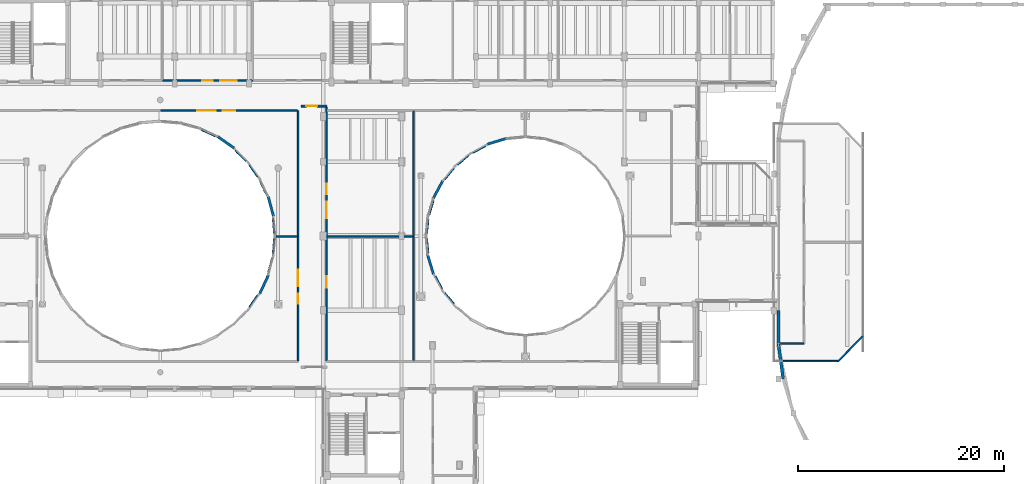
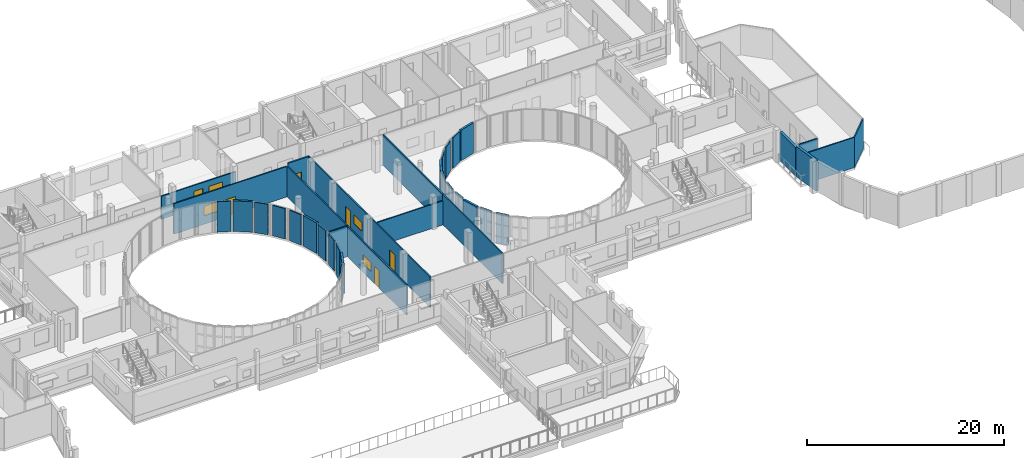
# One storey, part 70 of 92: 38 walls, 6 doors, 4 windows, 10 openings.
"""IFC4 building model written with IfcOpenShell, lengths in metres."""

from ifc_helpers import new_model, si_unit, direction, frame, frame_2d, origin, place, context, subcontext, project, spatial, rectangle, extrude, material, layer, layer_set, type_object, element, fill, save


model = new_model("IFC4")

# Units and contexts
model_context = context("Model", 3, precision=1e-05, world=origin(), true_north=direction((0.0, 1.0)))
body_context = subcontext(model_context, "Body", "Model", "MODEL_VIEW")
ifc_project = project(units=[si_unit("LENGTHUNIT", "METRE"), si_unit("AREAUNIT", "SQUARE_METRE"), si_unit("VOLUMEUNIT", "CUBIC_METRE"), si_unit("PLANEANGLEUNIT", "RADIAN"), si_unit("MASSUNIT", "GRAM", prefix="KILO")], contexts=[model_context])

# Site, building, storey
site_placement = place(None, origin())
site = spatial("IfcSite", under=ifc_project, at=site_placement, CompositionType="ELEMENT")
building_placement = place(site_placement, origin())
building = spatial("IfcBuilding", under=site, at=building_placement, Name="Kelanivale Promenade Academy", CompositionType="ELEMENT")
storey_placement = place(building_placement, frame((0.0, 0.0, 8.199951171875)))
storey = spatial("IfcBuildingStorey", under=building, at=storey_placement, Name="L02", CompositionType="ELEMENT", Elevation=8.199951171875)

# Walls
ifc_material_1 = material(Name="Insulated terracotta-clad masonry wall 300 mm", Category="masonry")
ifc_layer_1 = layer(ifc_material_1, 0.300048828125)
ifc_layer_set_1 = layer_set([ifc_layer_1], Name="Insulated terracotta-clad masonry wall 300 mm")
wall_type_1 = type_object("IfcWallType", Name="EW-01 Wall 300mm", PredefinedType="SOLIDWALL", material=ifc_layer_set_1)
wall_1_placement = place(storey_placement, frame((123.35009765625, 46.257080078125, 0.0), z_axis=(0.0, 0.0, 1.0), x_axis=(0.134539839792, -0.990908185206, 0.0)))
element("IfcWall", 1, at=wall_1_placement, inside=storey, type_object=wall_type_1, Name="Assembly Hall Arc Pavilion inner crescent wall L02", PredefinedType="SOLIDWALL", context=body_context, shape_type="SweptSolid", body=[
    extrude(rectangle(XDim=3.344482421875, YDim=0.300048828125, at=frame_2d((1.67236328125, 0.0))), origin(), (0.0, 0.0, 1.0), 3.7451171875),
])
wall_2_placement = place(storey_placement, frame((123.35009765625, 49.571044921875, 0.0), z_axis=(0.0, 0.0, 1.0), x_axis=(0.0, -1.0, 0.0)))
element("IfcWall", 2, at=wall_2_placement, inside=storey, type_object=wall_type_1, Name="Assembly Hall Arc Pavilion inner crescent wall L02", PredefinedType="SOLIDWALL", context=body_context, shape_type="SweptSolid", body=[
    extrude(rectangle(XDim=3.31396484375, YDim=0.300048828125, at=frame_2d((1.656982421875, 0.0))), origin(), (0.0, 0.0, 1.0), 3.505126953125),
])
ifc_material_2 = material(Name="Insulated courtyard stucco masonry wall 240 mm", Category="masonry")
ifc_layer_2 = layer(ifc_material_2, 0.239990234375)
ifc_layer_set_2 = layer_set([ifc_layer_2], Name="Insulated courtyard stucco masonry wall 240 mm")
wall_type_2 = type_object("IfcWallType", Name="EW-04 Wall 240mm", PredefinedType="SOLIDWALL", material=ifc_layer_set_2)
wall_3_placement = place(storey_placement, frame((96.929931640625, 66.258056640625, 0.0), z_axis=(0.0, 0.0, 1.0), x_axis=(-0.957102771605, -0.289748657608, 0.0)))
element("IfcWall", 3, at=wall_3_placement, inside=storey, type_object=wall_type_2, Name="L02 round courtyard stucco wall", PredefinedType="SOLIDWALL", context=body_context, shape_type="SweptSolid", body=[
    extrude(rectangle(XDim=1.911865234375, YDim=0.239990234375, at=frame_2d((0.9560546875, 0.0))), origin(), (0.0, 0.0, 1.0), 3.780029296875),
])
wall_4_placement = place(storey_placement, frame((90.7900390625, 62.166015625, 0.0), z_axis=(0.0, 0.0, 1.0), x_axis=(-0.471548403175, -0.881840180227, 0.0)))
element("IfcWall", 4, at=wall_4_placement, inside=storey, type_object=wall_type_2, Name="L02 round courtyard stucco wall", PredefinedType="SOLIDWALL", context=body_context, shape_type="SweptSolid", body=[
    extrude(rectangle(XDim=1.9130859375, YDim=0.239990234375, at=frame_2d((0.95654296875, 0.0))), origin(), (0.0, 0.0, 1.0), 3.780029296875),
])
wall_5_placement = place(storey_placement, frame((89.342041015625, 54.929931640625, 0.0), z_axis=(0.0, 0.0, 1.0), x_axis=(0.289748657608, -0.957102771605, 0.0)))
element("IfcWall", 5, at=wall_5_placement, inside=storey, type_object=wall_type_2, Name="L02 round courtyard stucco wall", PredefinedType="SOLIDWALL", context=body_context, shape_type="SweptSolid", body=[
    extrude(rectangle(XDim=1.911865234375, YDim=0.239990234375, at=frame_2d((0.9560546875, 0.0))), origin(), (0.0, 0.0, 1.0), 3.780029296875),
])
wall_6_placement = place(storey_placement, frame((70.571044921875, 65.326904296875, 0.0), z_axis=(0.0, 0.0, 1.0), x_axis=(-0.819132771028, 0.573603960436, 0.0)))
element("IfcWall", 6, at=wall_6_placement, inside=storey, type_object=wall_type_2, Name="L02 round courtyard stucco wall", PredefinedType="SOLIDWALL", context=body_context, shape_type="SweptSolid", body=[
    extrude(rectangle(XDim=1.966796875, YDim=0.239990234375, at=frame_2d((0.9833984375, 0.0))), origin(), (0.0, 0.0, 1.0), 3.780029296875),
])
wall_7_placement = place(storey_placement, frame((73.0419921875, 51.218017578125, 0.0), z_axis=(0.0, 0.0, 1.0), x_axis=(0.423095895811, 0.906084909348, 0.0)))
element("IfcWall", 7, at=wall_7_placement, inside=storey, type_object=wall_type_2, Name="L02 round courtyard stucco wall", PredefinedType="SOLIDWALL", context=body_context, shape_type="SweptSolid", body=[
    extrude(rectangle(XDim=1.96875, YDim=0.239990234375, at=frame_2d((0.984375, 0.0))), origin(), (0.0, 0.0, 1.0), 3.780029296875),
])
wall_8_placement = place(storey_placement, frame((74.3740234375, 58.721923828125, 0.0), z_axis=(0.0, 0.0, 1.0), x_axis=(-0.258303819724, 0.966063733258, 0.0)))
element("IfcWall", 8, at=wall_8_placement, inside=storey, type_object=wall_type_2, Name="L02 round courtyard stucco wall", PredefinedType="SOLIDWALL", context=body_context, shape_type="SweptSolid", body=[
    extrude(rectangle(XDim=1.966796875, YDim=0.239990234375, at=frame_2d((0.9833984375, 0.0))), origin(), (0.0, 0.0, 1.0), 3.780029296875),
])

# Wall, opening, door
ifc_material_3 = material(Name="Autoclaved masonry blockwork 180 mm", Category="masonry")
ifc_layer_3 = layer(ifc_material_3, 0.179931640625)
ifc_layer_set_3 = layer_set([ifc_layer_3], Name="Autoclaved masonry blockwork 180 mm")
wall_type_3 = type_object("IfcWallType", Name="IW-02 Wall 180mm", PredefinedType="PARTITIONING", material=ifc_layer_set_3)
wall_9_placement = place(storey_placement, frame((77.050048828125, 69.39990234375, 0.0), z_axis=(0.0, 0.0, 1.0), x_axis=(1.0, 0.0, 0.0)))
wall_9 = element("IfcWall", 9, at=wall_9_placement, inside=storey, type_object=wall_type_3, Name="L02 cross-corridor fire wall", PredefinedType="PARTITIONING", context=body_context, shape_type="SweptSolid", body=[
    extrude(rectangle(XDim=2.5, YDim=0.179931640625, at=frame_2d((1.25, 0.0))), origin(), (0.0, 0.0, 1.0), 3.780029296875),
])
opening_1_placement = place(wall_9_placement, frame((0.507080078125, 0.0, 0.0)))
opening_1 = element("IfcOpeningElement", 10, at=opening_1_placement, cuts=wall_9, Name="Opening FD-L02-CC-107", PredefinedType="OPENING", context=body_context, shape_type="SweptSolid", body=[
    extrude(rectangle(XDim=1.050048828125, YDim=2.14990234375, at=frame_2d((0.52490234375, 1.074951171875))), frame((0.0, 0.10009765625, 0.0), z_axis=(0.0, -1.0, 0.0), x_axis=(1.0, 0.0, 0.0)), (0.0, 0.0, 1.0), 0.199951171875),
])
ifc_material_4 = material(Name="Fire-rated steel-core teak veneer", Category="steel")
door_type_1 = type_object("IfcDoorType", Name="DT-F03 Door 1050x2150", OperationType="NOTDEFINED", PredefinedType="DOOR", material=ifc_material_4)
door_1_placement = place(opening_1_placement, origin())
door_1 = element("IfcDoor", 11, at=door_1_placement, inside=storey, type_object=door_type_1, Name="L02 cross-corridor fire door FD-L02-CC-107", OperationType="SINGLE_SWING_LEFT", OverallHeight=2.14990234375, OverallWidth=1.050048828125, PredefinedType="DOOR", context=body_context, shape_type="SweptSolid", body=[
    extrude(rectangle(XDim=1.050048828125, YDim=2.14990234375, at=frame_2d((0.52490234375, 1.074951171875))), frame((0.0, 0.02490234375, 0.0), z_axis=(0.0, -1.0, 0.0), x_axis=(1.0, 0.0, 0.0)), (0.0, 0.0, 1.0), 0.050048828125),
])
fill(opening_1, door_1)

# Walls
ifc_material_5 = material(Name="Acoustic double-stud gypsum board partition 140 mm", Category="masonry")
ifc_layer_4 = layer(ifc_material_5, 0.139892578125)
ifc_layer_set_4 = layer_set([ifc_layer_4], Name="Acoustic double-stud gypsum board partition 140 mm")
wall_type_4 = type_object("IfcWallType", Name="IW-04 Wall 140mm", PredefinedType="PARTITIONING", material=ifc_layer_set_4)
wall_10_placement = place(storey_placement, frame((125.77001953125, 46.3701171875, 0.0), z_axis=(0.0, 0.0, 1.0), x_axis=(-1.0, 0.0, 0.0)))
element("IfcWall", 12, at=wall_10_placement, inside=storey, type_object=wall_type_4, Name="L02 partition Choral Rehearsal Studio", PredefinedType="PARTITIONING", context=body_context, shape_type="SweptSolid", body=[
    extrude(rectangle(XDim=2.27197265625, YDim=0.139892578125, at=frame_2d((1.135986328125, 0.0))), origin(), (0.0, 0.0, 1.0), 3.755126953125),
])
wall_11_placement = place(storey_placement, frame((123.677978515625, 44.669921875, 0.0), z_axis=(0.0, 0.0, 1.0), x_axis=(1.0, 0.0, 0.0)))
element("IfcWall", 13, at=wall_11_placement, inside=storey, type_object=wall_type_4, Name="L02 partition Choral Rehearsal Studio", PredefinedType="PARTITIONING", context=body_context, shape_type="SweptSolid", body=[
    extrude(rectangle(XDim=5.443115234375, YDim=0.139892578125, at=frame_2d((2.7216796875, 0.0))), origin(), (0.0, 0.0, 1.0), 3.755126953125),
])
wall_12_placement = place(storey_placement, frame((129.1201171875, 44.6689453125, 0.0), z_axis=(0.0, 0.0, 1.0), x_axis=(0.707070979218, 0.707142581342, 0.0)))
element("IfcWall", 14, at=wall_12_placement, inside=storey, type_object=wall_type_4, Name="L02 partition Choral Rehearsal Studio", PredefinedType="PARTITIONING", context=body_context, shape_type="SweptSolid", body=[
    extrude(rectangle(XDim=3.40966796875, YDim=0.139892578125, at=frame_2d((1.704833984375, 0.0))), origin(), (0.0, 0.0, 1.0), 3.755126953125),
])
wall_13_placement = place(storey_placement, frame((87.969970703125, 44.697998046875, 0.0), z_axis=(0.0, 0.0, 1.0), x_axis=(0.0, 1.0, 0.0)))
element("IfcWall", 15, at=wall_13_placement, inside=storey, type_object=wall_type_4, Name="L02 partition Design Workshop", PredefinedType="PARTITIONING", context=body_context, shape_type="SweptSolid", body=[
    extrude(rectangle(XDim=12.072021484375, YDim=0.139892578125, at=frame_2d((6.0361328125, 0.0))), origin(), (0.0, 0.0, 1.0), 3.775146484375),
])
wall_14_placement = place(storey_placement, frame((87.902099609375, 56.77001953125, 0.0), z_axis=(0.0, 0.0, 1.0), x_axis=(-1.0, 0.0, 0.0)))
element("IfcWall", 16, at=wall_14_placement, inside=storey, type_object=wall_type_4, Name="L02 partition Design Workshop", PredefinedType="PARTITIONING", context=body_context, shape_type="SweptSolid", body=[
    extrude(rectangle(XDim=8.3720703125, YDim=0.139892578125, at=frame_2d((4.18603515625, 0.0))), origin(), (0.0, 0.0, 1.0), 2.97509765625),
])

# Wall, opening, door
wall_15_placement = place(storey_placement, frame((79.530029296875, 56.701904296875, 0.0), z_axis=(0.0, 0.0, 1.0), x_axis=(0.0, -1.0, 0.0)))
wall_15 = element("IfcWall", 17, at=wall_15_placement, inside=storey, type_object=wall_type_4, Name="L02 partition Design Workshop", PredefinedType="PARTITIONING", context=body_context, shape_type="SweptSolid", body=[
    extrude(rectangle(XDim=12.00390625, YDim=0.139892578125, at=frame_2d((6.001953125, 0.0))), origin(), (0.0, 0.0, 1.0), 3.775146484375),
])
opening_2_placement = place(wall_15_placement, frame((3.80908203125, 0.0, 0.0)))
opening_2 = element("IfcOpeningElement", 18, at=opening_2_placement, cuts=wall_15, Name="Opening ID-L02-118", PredefinedType="OPENING", context=body_context, shape_type="SweptSolid", body=[
    extrude(rectangle(XDim=1.1201171875, YDim=2.179931640625, at=frame_2d((0.56005859375, 1.08984375))), frame((0.0, 0.080078125, 0.0), z_axis=(0.0, -1.0, 0.0), x_axis=(1.0, 0.0, 0.0)), (0.0, 0.0, 1.0), 0.159912109375),
])
ifc_material_6 = material(Name="Solid-core tropical teak timber", Category="wood")
door_type_2 = type_object("IfcDoorType", Name="DT-I17 Door 1120x2180", OperationType="NOTDEFINED", PredefinedType="DOOR", material=ifc_material_6)
door_2_placement = place(opening_2_placement, origin())
door_2 = element("IfcDoor", 19, at=door_2_placement, inside=storey, type_object=door_type_2, Name="Design Workshop door ID-L02-118", OperationType="SINGLE_SWING_RIGHT", OverallHeight=2.179931640625, OverallWidth=1.1201171875, PredefinedType="DOOR", context=body_context, shape_type="SweptSolid", body=[
    extrude(rectangle(XDim=1.1201171875, YDim=2.179931640625, at=frame_2d((0.56005859375, 1.08984375))), frame((0.0, 0.02490234375, 0.0), z_axis=(0.0, -1.0, 0.0), x_axis=(1.0, 0.0, 0.0)), (0.0, 0.0, 1.0), 0.050048828125),
])
fill(opening_2, door_2)

# Wall, openings, door, window
wall_16_placement = place(storey_placement, frame((79.530029296875, 69.31201171875, 0.0), z_axis=(0.0, 0.0, 1.0), x_axis=(0.0, -1.0, 0.0)))
wall_16 = element("IfcWall", 20, at=wall_16_placement, inside=storey, type_object=wall_type_4, Name="L02 partition Mathematics Classroom", PredefinedType="PARTITIONING", context=body_context, shape_type="SweptSolid", body=[
    extrude(rectangle(XDim=12.47412109375, YDim=0.139892578125, at=frame_2d((6.237060546875, 0.0))), origin(), (0.0, 0.0, 1.0), 3.775146484375),
])
opening_3_placement = place(wall_16_placement, frame((7.445068359375, 0.0, 0.0)))
opening_3 = element("IfcOpeningElement", 21, at=opening_3_placement, cuts=wall_16, Name="Opening ID-L02-119", PredefinedType="OPENING", context=body_context, shape_type="SweptSolid", body=[
    extrude(rectangle(XDim=1.02001953125, YDim=2.139892578125, at=frame_2d((0.510009765625, 1.06982421875))), frame((0.0, 0.080078125, 0.0), z_axis=(0.0, -1.0, 0.0), x_axis=(1.0, 0.0, 0.0)), (0.0, 0.0, 1.0), 0.159912109375),
])
opening_4_placement = place(wall_16_placement, frame((9.1650390625, 0.0, 1.050048828125)))
opening_4 = element("IfcOpeningElement", 22, at=opening_4_placement, cuts=wall_16, Name="Opening WT-I01", PredefinedType="OPENING", context=body_context, shape_type="SweptSolid", body=[
    extrude(rectangle(XDim=1.60009765625, YDim=1.10009765625, at=frame_2d((0.800048828125, 0.550048828125))), frame((0.0, 0.080078125, 0.0), z_axis=(0.0, -1.0, 0.0), x_axis=(1.0, 0.0, 0.0)), (0.0, 0.0, 1.0), 0.159912109375),
])
door_type_3 = type_object("IfcDoorType", Name="DT-I15 Door 1020x2140", OperationType="NOTDEFINED", PredefinedType="DOOR", material=ifc_material_6)
door_3_placement = place(opening_3_placement, origin())
door_3 = element("IfcDoor", 23, at=door_3_placement, inside=storey, type_object=door_type_3, Name="Mathematics Classroom door ID-L02-119", OperationType="SINGLE_SWING_LEFT", OverallHeight=2.139892578125, OverallWidth=1.02001953125, PredefinedType="DOOR", context=body_context, shape_type="SweptSolid", body=[
    extrude(rectangle(XDim=1.02001953125, YDim=2.139892578125, at=frame_2d((0.510009765625, 1.06982421875))), frame((0.0, 0.02490234375, 0.0), z_axis=(0.0, -1.0, 0.0), x_axis=(1.0, 0.0, 0.0)), (0.0, 0.0, 1.0), 0.050048828125),
])
fill(opening_3, door_3)
ifc_material_7 = material(Name="Bronze anodised aluminium frame with low-E laminated glass", Category="aluminium")
window_type_1 = type_object("IfcWindowType", Name="WT-I01 Window 1600x1100", PartitioningType="SINGLE_PANEL", PredefinedType="WINDOW", material=ifc_material_7)
window_1_placement = place(opening_4_placement, origin())
window_1 = element("IfcWindow", 24, at=window_1_placement, inside=storey, type_object=window_type_1, Name="Interior observation window WT-I01", OverallHeight=1.10009765625, OverallWidth=1.60009765625, PartitioningType="SINGLE_PANEL", PredefinedType="WINDOW", context=body_context, shape_type="SweptSolid", body=[
    extrude(rectangle(XDim=1.60009765625, YDim=1.10009765625, at=frame_2d((0.800048828125, 0.550048828125))), frame((0.0, 0.030029296875, 0.0), z_axis=(0.0, -1.0, 0.0), x_axis=(1.0, 0.0, 0.0)), (0.0, 0.0, 1.0), 0.06005859375),
])
fill(opening_4, window_1)

# Wall
wall_17_placement = place(storey_placement, frame((87.969970703125, 56.830078125, 0.0), z_axis=(0.0, 0.0, 1.0), x_axis=(0.0, 1.0, 0.0)))
element("IfcWall", 25, at=wall_17_placement, inside=storey, type_object=wall_type_4, Name="L02 partition Mathematics Classroom", PredefinedType="PARTITIONING", context=body_context, shape_type="SweptSolid", body=[
    extrude(rectangle(XDim=12.139892578125, YDim=0.139892578125, at=frame_2d((6.06982421875, 0.0))), origin(), (0.0, 0.0, 1.0), 3.775146484375),
])

# Wall, openings, door, window
wall_18_placement = place(storey_placement, frame((76.77001953125, 44.697998046875, 0.0), z_axis=(0.0, 0.0, 1.0), x_axis=(0.0, 1.0, 0.0)))
wall_18 = element("IfcWall", 26, at=wall_18_placement, inside=storey, type_object=wall_type_4, Name="L02 partition Mathematics Classroom Courtyard South", PredefinedType="PARTITIONING", context=body_context, shape_type="SweptSolid", body=[
    extrude(rectangle(XDim=12.072021484375, YDim=0.139892578125, at=frame_2d((6.0361328125, 0.0))), origin(), (0.0, 0.0, 1.0), 3.775146484375),
])
opening_5_placement = place(wall_18_placement, frame((5.5458984375, 0.0, 0.0)))
opening_5 = element("IfcOpeningElement", 27, at=opening_5_placement, cuts=wall_18, Name="Opening ID-L02-122", PredefinedType="OPENING", context=body_context, shape_type="SweptSolid", body=[
    extrude(rectangle(XDim=0.97998046875, YDim=2.1201171875, at=frame_2d((0.489990234375, 1.06005859375))), frame((0.0, 0.080078125, 0.0), z_axis=(0.0, -1.0, 0.0), x_axis=(1.0, 0.0, 0.0)), (0.0, 0.0, 1.0), 0.159912109375),
])
opening_6_placement = place(wall_18_placement, frame((7.22607421875, 0.0, 1.050048828125)))
opening_6 = element("IfcOpeningElement", 28, at=opening_6_placement, cuts=wall_18, Name="Opening WT-I01", PredefinedType="OPENING", context=body_context, shape_type="SweptSolid", body=[
    extrude(rectangle(XDim=1.60009765625, YDim=1.10009765625, at=frame_2d((0.800048828125, 0.550048828125))), frame((0.0, 0.080078125, 0.0), z_axis=(0.0, -1.0, 0.0), x_axis=(1.0, 0.0, 0.0)), (0.0, 0.0, 1.0), 0.159912109375),
])
door_type_4 = type_object("IfcDoorType", Name="DT-I14 Door 980x2120", OperationType="NOTDEFINED", PredefinedType="DOOR", material=ifc_material_6)
door_4_placement = place(opening_5_placement, origin())
door_4 = element("IfcDoor", 29, at=door_4_placement, inside=storey, type_object=door_type_4, Name="Mathematics Classroom Courtyard South door ID-L02-122", OperationType="SINGLE_SWING_RIGHT", OverallHeight=2.1201171875, OverallWidth=0.97998046875, PredefinedType="DOOR", context=body_context, shape_type="SweptSolid", body=[
    extrude(rectangle(XDim=0.97998046875, YDim=2.1201171875, at=frame_2d((0.489990234375, 1.06005859375))), frame((0.0, 0.02490234375, 0.0), z_axis=(0.0, -1.0, 0.0), x_axis=(1.0, 0.0, 0.0)), (0.0, 0.0, 1.0), 0.050048828125),
])
fill(opening_5, door_4)
window_2_placement = place(opening_6_placement, origin())
window_2 = element("IfcWindow", 30, at=window_2_placement, inside=storey, type_object=window_type_1, Name="Interior observation window WT-I01", OverallHeight=1.10009765625, OverallWidth=1.60009765625, PartitioningType="SINGLE_PANEL", PredefinedType="WINDOW", context=body_context, shape_type="SweptSolid", body=[
    extrude(rectangle(XDim=1.60009765625, YDim=1.10009765625, at=frame_2d((0.800048828125, 0.550048828125))), frame((0.0, 0.030029296875, 0.0), z_axis=(0.0, -1.0, 0.0), x_axis=(1.0, 0.0, 0.0)), (0.0, 0.0, 1.0), 0.06005859375),
])
fill(opening_6, window_2)

# Walls
wall_19_placement = place(storey_placement, frame((76.701904296875, 56.77001953125, 0.0), z_axis=(0.0, 0.0, 1.0), x_axis=(-1.0, 0.0, 0.0)))
element("IfcWall", 31, at=wall_19_placement, inside=storey, type_object=wall_type_4, Name="L02 partition Mathematics Classroom Courtyard South", PredefinedType="PARTITIONING", context=body_context, shape_type="SweptSolid", body=[
    extrude(rectangle(XDim=2.0859375, YDim=0.139892578125, at=frame_2d((1.04296875, 0.0))), origin(), (0.0, 0.0, 1.0), 3.775146484375),
])
wall_20_placement = place(storey_placement, frame((74.446044921875, 56.52294921875, 0.0), z_axis=(0.0, 0.0, 1.0), x_axis=(-0.086916960031, -0.996215560037, 0.0)))
element("IfcWall", 32, at=wall_20_placement, inside=storey, type_object=wall_type_4, Name="L02 partition Mathematics Classroom Courtyard South", PredefinedType="PARTITIONING", context=body_context, shape_type="SweptSolid", body=[
    extrude(rectangle(XDim=1.393310546875, YDim=0.139892578125, at=frame_2d((0.69677734375, 0.0))), origin(), (0.0, 0.0, 1.0), 3.775146484375),
])
wall_21_placement = place(storey_placement, frame((74.235107421875, 54.6279296875, 0.0), z_axis=(0.0, 0.0, 1.0), x_axis=(-0.258491202719, -0.966013611766, 0.0)))
element("IfcWall", 33, at=wall_21_placement, inside=storey, type_object=wall_type_4, Name="L02 partition Mathematics Classroom Courtyard South", PredefinedType="PARTITIONING", context=body_context, shape_type="SweptSolid", body=[
    extrude(rectangle(XDim=1.412109375, YDim=0.139892578125, at=frame_2d((0.7060546875, 0.0))), origin(), (0.0, 0.0, 1.0), 3.775146484375),
])
wall_22_placement = place(storey_placement, frame((72.839111328125, 51.052978515625, 0.0), z_axis=(0.0, 0.0, 1.0), x_axis=(-0.57368253481, -0.819077743108, 0.0)))
element("IfcWall", 34, at=wall_22_placement, inside=storey, type_object=wall_type_4, Name="L02 partition Mathematics Classroom Courtyard South", PredefinedType="PARTITIONING", context=body_context, shape_type="SweptSolid", body=[
    extrude(rectangle(XDim=1.413818359375, YDim=0.139892578125, at=frame_2d((0.70703125, 0.0))), origin(), (0.0, 0.0, 1.0), 3.775146484375),
])
wall_23_placement = place(storey_placement, frame((70.698974609375, 65.096923828125, 0.0), z_axis=(0.0, 0.0, 1.0), x_axis=(0.707193272138, -0.707020279655, 0.0)))
element("IfcWall", 35, at=wall_23_placement, inside=storey, type_object=wall_type_4, Name="L02 partition Design Workshop Courtyard North", PredefinedType="PARTITIONING", context=body_context, shape_type="SweptSolid", body=[
    extrude(rectangle(XDim=1.411376953125, YDim=0.139892578125, at=frame_2d((0.70556640625, 0.0))), origin(), (0.0, 0.0, 1.0), 3.775146484375),
])
wall_24_placement = place(storey_placement, frame((72.028076171875, 63.705078125, 0.0), z_axis=(0.0, 0.0, 1.0), x_axis=(0.57368253481, -0.819077743108, 0.0)))
element("IfcWall", 36, at=wall_24_placement, inside=storey, type_object=wall_type_4, Name="L02 partition Design Workshop Courtyard North", PredefinedType="PARTITIONING", context=body_context, shape_type="SweptSolid", body=[
    extrude(rectangle(XDim=1.413818359375, YDim=0.139892578125, at=frame_2d((0.70703125, 0.0))), origin(), (0.0, 0.0, 1.0), 3.775146484375),
])
wall_25_placement = place(storey_placement, frame((73.095947265625, 62.10107421875, 0.0), z_axis=(0.0, 0.0, 1.0), x_axis=(0.423348930736, -0.905966711775, 0.0)))
element("IfcWall", 37, at=wall_25_placement, inside=storey, type_object=wall_type_4, Name="L02 partition Design Workshop Courtyard North", PredefinedType="PARTITIONING", context=body_context, shape_type="SweptSolid", body=[
    extrude(rectangle(XDim=1.412841796875, YDim=0.139892578125, at=frame_2d((0.70654296875, 0.0))), origin(), (0.0, 0.0, 1.0), 3.775146484375),
])
wall_26_placement = place(storey_placement, frame((74.324951171875, 58.465087890625, 0.0), z_axis=(0.0, 0.0, 1.0), x_axis=(0.086901789347, -0.996216883519, 0.0)))
element("IfcWall", 38, at=wall_26_placement, inside=storey, type_object=wall_type_4, Name="L02 partition Design Workshop Courtyard North", PredefinedType="PARTITIONING", context=body_context, shape_type="SweptSolid", body=[
    extrude(rectangle(XDim=1.3935546875, YDim=0.139892578125, at=frame_2d((0.69677734375, 0.0))), origin(), (0.0, 0.0, 1.0), 3.775146484375),
])
wall_27_placement = place(storey_placement, frame((76.77001953125, 56.830078125, 0.0), z_axis=(0.0, 0.0, 1.0), x_axis=(0.0, 1.0, 0.0)))
element("IfcWall", 39, at=wall_27_placement, inside=storey, type_object=wall_type_4, Name="L02 partition Design Workshop Courtyard North", PredefinedType="PARTITIONING", context=body_context, shape_type="SweptSolid", body=[
    extrude(rectangle(XDim=12.139892578125, YDim=0.139892578125, at=frame_2d((6.06982421875, 0.0))), origin(), (0.0, 0.0, 1.0), 3.775146484375),
])

# Wall, openings, door, window
wall_28_placement = place(storey_placement, frame((76.701904296875, 68.969970703125, 0.0), z_axis=(0.0, 0.0, 1.0), x_axis=(-1.0, 0.0, 0.0)))
wall_28 = element("IfcWall", 40, at=wall_28_placement, inside=storey, type_object=wall_type_4, Name="L02 partition Design Workshop Courtyard North", PredefinedType="PARTITIONING", context=body_context, shape_type="SweptSolid", body=[
    extrude(rectangle(XDim=13.27197265625, YDim=0.139892578125, at=frame_2d((6.635986328125, 0.0))), origin(), (0.0, 0.0, 1.0), 3.775146484375),
])
opening_7_placement = place(wall_28_placement, frame((6.035888671875, 0.0, 0.0)))
opening_7 = element("IfcOpeningElement", 41, at=opening_7_placement, cuts=wall_28, Name="Opening ID-L02-123", PredefinedType="OPENING", context=body_context, shape_type="SweptSolid", body=[
    extrude(rectangle(XDim=1.199951171875, YDim=2.14990234375, at=frame_2d((0.60009765625, 1.074951171875))), frame((0.0, 0.080078125, 0.0), z_axis=(0.0, -1.0, 0.0), x_axis=(1.0, 0.0, 0.0)), (0.0, 0.0, 1.0), 0.159912109375),
])
opening_8_placement = place(wall_28_placement, frame((7.93603515625, 0.0, 1.050048828125)))
opening_8 = element("IfcOpeningElement", 42, at=opening_8_placement, cuts=wall_28, Name="Opening WT-I02", PredefinedType="OPENING", context=body_context, shape_type="SweptSolid", body=[
    extrude(rectangle(XDim=1.800048828125, YDim=1.199951171875, at=frame_2d((0.89990234375, 0.60009765625))), frame((0.0, 0.080078125, 0.0), z_axis=(0.0, -1.0, 0.0), x_axis=(1.0, 0.0, 0.0)), (0.0, 0.0, 1.0), 0.159912109375),
])
door_type_5 = type_object("IfcDoorType", Name="DT-I04 Door 1200x2150", OperationType="NOTDEFINED", PredefinedType="DOOR", material=ifc_material_6)
door_5_placement = place(opening_7_placement, origin())
door_5 = element("IfcDoor", 43, at=door_5_placement, inside=storey, type_object=door_type_5, Name="Design Workshop Courtyard North door ID-L02-123", OperationType="SINGLE_SWING_LEFT", OverallHeight=2.14990234375, OverallWidth=1.199951171875, PredefinedType="DOOR", context=body_context, shape_type="SweptSolid", body=[
    extrude(rectangle(XDim=1.199951171875, YDim=2.14990234375, at=frame_2d((0.60009765625, 1.074951171875))), frame((0.0, 0.02490234375, 0.0), z_axis=(0.0, -1.0, 0.0), x_axis=(1.0, 0.0, 0.0)), (0.0, 0.0, 1.0), 0.050048828125),
])
fill(opening_7, door_5)
window_type_2 = type_object("IfcWindowType", Name="WT-I02 Window 1800x1200", PartitioningType="SINGLE_PANEL", PredefinedType="WINDOW", material=ifc_material_7)
window_3_placement = place(opening_8_placement, origin())
window_3 = element("IfcWindow", 44, at=window_3_placement, inside=storey, type_object=window_type_2, Name="Interior observation window WT-I02", OverallHeight=1.199951171875, OverallWidth=1.800048828125, PartitioningType="SINGLE_PANEL", PredefinedType="WINDOW", context=body_context, shape_type="SweptSolid", body=[
    extrude(rectangle(XDim=1.800048828125, YDim=1.199951171875, at=frame_2d((0.89990234375, 0.60009765625))), frame((0.0, 0.030029296875, 0.0), z_axis=(0.0, -1.0, 0.0), x_axis=(1.0, 0.0, 0.0)), (0.0, 0.0, 1.0), 0.06005859375),
])
fill(opening_8, window_3)

# Walls
wall_29_placement = place(storey_placement, frame((67.4208984375, 67.093994140625, 0.0), z_axis=(0.0, 0.0, 1.0), x_axis=(0.906032979506, -0.423207088844, 0.0)))
element("IfcWall", 45, at=wall_29_placement, inside=storey, type_object=wall_type_4, Name="L02 partition Design Workshop Courtyard North", PredefinedType="PARTITIONING", context=body_context, shape_type="SweptSolid", body=[
    extrude(rectangle(XDim=1.412841796875, YDim=0.139892578125, at=frame_2d((0.70654296875, 0.0))), origin(), (0.0, 0.0, 1.0), 3.775146484375),
])
for number, where, z_axis, x_axis, name in (
    (46, (91.867919921875, 50.23291015625, 0.0), (0.0, 0.0, 1.0), (-0.634344180177, 0.773050749353, 0.0), "L02 partition Secondary Classroom Courtyard East-South"),
    (47, (90.719970703125, 51.7119140625, 0.0), (0.0, 0.0, 1.0), (-0.470877717269, 0.882198489785, 0.0), "L02 partition Secondary Classroom Courtyard East-South"),
):
    element("IfcWall", number, at=place(storey_placement, frame(where, z_axis=z_axis, x_axis=x_axis)), inside=storey, type_object=wall_type_4, Name=name, PredefinedType="PARTITIONING", context=body_context, shape_type="SweptSolid", body=[
        extrude(rectangle(XDim=1.35693359375, YDim=0.139892578125, at=frame_2d((0.678466796875, 0.0))), origin(), (0.0, 0.0, 1.0), 3.775146484375),
    ])
for number, where, z_axis, x_axis, name in (
    (48, (89.388916015625, 55.19189453125, 0.0), (0.0, 0.0, 1.0), (-0.098563937798, 0.99513072014, 0.0), "L02 partition Secondary Classroom Courtyard East-South"),
    (49, (89.257080078125, 57.076904296875, 0.0), (0.0, 0.0, 1.0), (0.098563937798, 0.99513072014, 0.0), "L02 partition Mathematics Classroom Courtyard East-North"),
):
    element("IfcWall", number, at=place(storey_placement, frame(where, z_axis=z_axis, x_axis=x_axis)), inside=storey, type_object=wall_type_4, Name=name, PredefinedType="PARTITIONING", context=body_context, shape_type="SweptSolid", body=[
        extrude(rectangle(XDim=1.337646484375, YDim=0.139892578125, at=frame_2d((0.6689453125, 0.0))), origin(), (0.0, 0.0, 1.0), 3.775146484375),
    ])
wall_30_placement = place(storey_placement, frame((89.489013671875, 58.9150390625, 0.0), z_axis=(0.0, 0.0, 1.0), x_axis=(0.290266939661, 0.956945716193, 0.0)))
element("IfcWall", 50, at=wall_30_placement, inside=storey, type_object=wall_type_4, Name="L02 partition Mathematics Classroom Courtyard East-North", PredefinedType="PARTITIONING", context=body_context, shape_type="SweptSolid", body=[
    extrude(rectangle(XDim=1.357421875, YDim=0.139892578125, at=frame_2d((0.6787109375, 0.0))), origin(), (0.0, 0.0, 1.0), 3.775146484375),
])
wall_31_placement = place(storey_placement, frame((91.007080078125, 62.318115234375, 0.0), z_axis=(0.0, 0.0, 1.0), x_axis=(0.634432410055, 0.772978341916, 0.0)))
element("IfcWall", 51, at=wall_31_placement, inside=storey, type_object=wall_type_4, Name="L02 partition Mathematics Classroom Courtyard East-North", PredefinedType="PARTITIONING", context=body_context, shape_type="SweptSolid", body=[
    extrude(rectangle(XDim=1.35693359375, YDim=0.139892578125, at=frame_2d((0.678466796875, 0.0))), origin(), (0.0, 0.0, 1.0), 3.775146484375),
])
wall_32_placement = place(storey_placement, frame((92.23291015625, 63.73193359375, 0.0), z_axis=(0.0, 0.0, 1.0), x_axis=(0.772962530207, 0.634451674201, 0.0)))
element("IfcWall", 52, at=wall_32_placement, inside=storey, type_object=wall_type_4, Name="L02 partition Mathematics Classroom Courtyard East-North", PredefinedType="PARTITIONING", context=body_context, shape_type="SweptSolid", body=[
    extrude(rectangle(XDim=1.357177734375, YDim=0.139892578125, at=frame_2d((0.6787109375, 0.0))), origin(), (0.0, 0.0, 1.0), 3.775146484375),
])
wall_33_placement = place(storey_placement, frame((93.7119140625, 64.8798828125, 0.0), z_axis=(0.0, 0.0, 1.0), x_axis=(0.882123740571, 0.471017734614, 0.0)))
element("IfcWall", 53, at=wall_33_placement, inside=storey, type_object=wall_type_4, Name="L02 partition Mathematics Classroom Courtyard East-North", PredefinedType="PARTITIONING", context=body_context, shape_type="SweptSolid", body=[
    extrude(rectangle(XDim=1.35693359375, YDim=0.139892578125, at=frame_2d((0.678466796875, 0.0))), origin(), (0.0, 0.0, 1.0), 3.775146484375),
])

# Wall, openings, door, window
wall_34_placement = place(storey_placement, frame((63.6298828125, 71.8798828125, 0.0), z_axis=(0.0, 0.0, 1.0), x_axis=(1.0, 0.0, 0.0)))
wall_34 = element("IfcWall", 54, at=wall_34_placement, inside=storey, type_object=wall_type_4, Name="L02 partition Mathematics Classroom North", PredefinedType="PARTITIONING", context=body_context, shape_type="SweptSolid", body=[
    extrude(rectangle(XDim=8.740234375, YDim=0.139892578125, at=frame_2d((4.3701171875, 0.0))), origin(), (0.0, 0.0, 1.0), 2.875),
])
opening_9_placement = place(wall_34_placement, frame((3.860107421875, 0.0, 0.0)))
opening_9 = element("IfcOpeningElement", 55, at=opening_9_placement, cuts=wall_34, Name="Opening ID-L02-134", PredefinedType="OPENING", context=body_context, shape_type="SweptSolid", body=[
    extrude(rectangle(XDim=1.02001953125, YDim=2.139892578125, at=frame_2d((0.510009765625, 1.06982421875))), frame((0.0, 0.080078125, 0.0), z_axis=(0.0, -1.0, 0.0), x_axis=(1.0, 0.0, 0.0)), (0.0, 0.0, 1.0), 0.159912109375),
])
opening_10_placement = place(wall_34_placement, frame((5.580078125, 0.0, 1.050048828125)))
opening_10 = element("IfcOpeningElement", 56, at=opening_10_placement, cuts=wall_34, Name="Opening WT-I01", PredefinedType="OPENING", context=body_context, shape_type="SweptSolid", body=[
    extrude(rectangle(XDim=1.60009765625, YDim=1.10009765625, at=frame_2d((0.800048828125, 0.550048828125))), frame((0.0, 0.080078125, 0.0), z_axis=(0.0, -1.0, 0.0), x_axis=(1.0, 0.0, 0.0)), (0.0, 0.0, 1.0), 0.159912109375),
])
door_6_placement = place(opening_9_placement, origin())
door_6 = element("IfcDoor", 57, at=door_6_placement, inside=storey, type_object=door_type_3, Name="Mathematics Classroom North door ID-L02-134", OperationType="SINGLE_SWING_LEFT", OverallHeight=2.139892578125, OverallWidth=1.02001953125, PredefinedType="DOOR", context=body_context, shape_type="SweptSolid", body=[
    extrude(rectangle(XDim=1.02001953125, YDim=2.139892578125, at=frame_2d((0.510009765625, 1.06982421875))), frame((0.0, 0.02490234375, 0.0), z_axis=(0.0, -1.0, 0.0), x_axis=(1.0, 0.0, 0.0)), (0.0, 0.0, 1.0), 0.050048828125),
])
fill(opening_9, door_6)
window_4_placement = place(opening_10_placement, origin())
window_4 = element("IfcWindow", 58, at=window_4_placement, inside=storey, type_object=window_type_1, Name="Interior observation window WT-I01", OverallHeight=1.10009765625, OverallWidth=1.60009765625, PartitioningType="SINGLE_PANEL", PredefinedType="WINDOW", context=body_context, shape_type="SweptSolid", body=[
    extrude(rectangle(XDim=1.60009765625, YDim=1.10009765625, at=frame_2d((0.800048828125, 0.550048828125))), frame((0.0, 0.030029296875, 0.0), z_axis=(0.0, -1.0, 0.0), x_axis=(1.0, 0.0, 0.0)), (0.0, 0.0, 1.0), 0.06005859375),
])
fill(opening_10, window_4)

save(model, "model.ifc")
